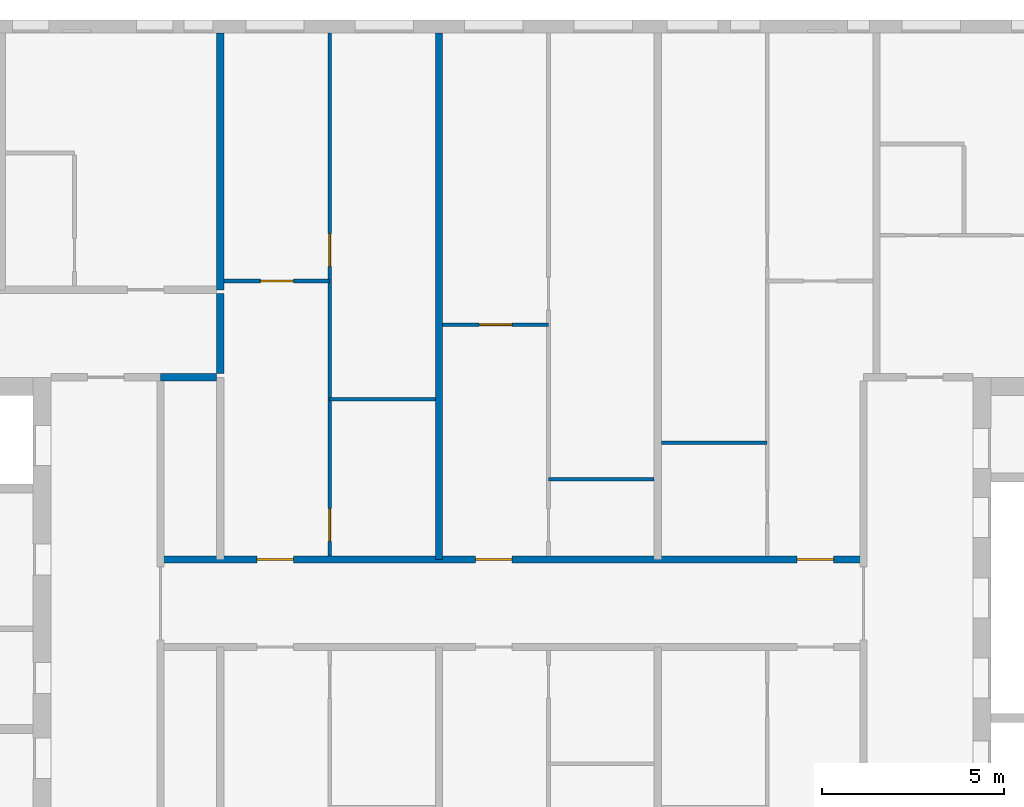
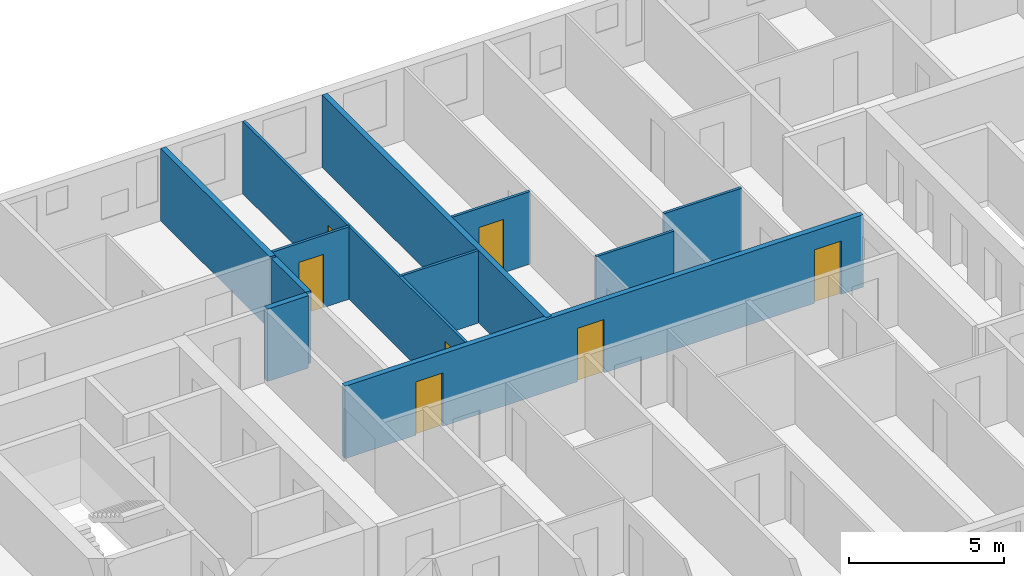
# One storey, part 5 of 16: 11 walls, 7 doors, 7 openings.
"""IFC4 building model written with IfcOpenShell, lengths in metres."""

from ifc_helpers import new_model, si_unit, direction, frame, frame_2d, origin, place, context, subcontext, project, spatial, rectangle, extrude, material, layer, layer_set, type_object, element, fill, save


model = new_model("IFC4")

# Units and contexts
model_context = context("Model", 3, precision=1e-05, world=origin(), true_north=direction((0.0, 1.0)))
body_context = subcontext(model_context, "Body", "Model", "MODEL_VIEW")
ifc_project = project(units=[si_unit("LENGTHUNIT", "METRE"), si_unit("AREAUNIT", "SQUARE_METRE"), si_unit("VOLUMEUNIT", "CUBIC_METRE"), si_unit("PLANEANGLEUNIT", "RADIAN"), si_unit("MASSUNIT", "GRAM", prefix="KILO")], contexts=[model_context])

# Site, building, storey
site_placement = place(None, origin())
site = spatial("IfcSite", under=ifc_project, at=site_placement, CompositionType="ELEMENT")
building_placement = place(site_placement, origin())
building = spatial("IfcBuilding", under=site, at=building_placement, Name="Tuart Gate Housing", CompositionType="ELEMENT")
storey_placement = place(building_placement, frame((0.0, 0.0, 157.800048828125)))
storey = spatial("IfcBuildingStorey", under=building, at=storey_placement, Name="L44", CompositionType="ELEMENT", Elevation=157.800048828125)

# Wall, openings, doors
ifc_material_1 = material(Name="Concrete masonry 15 MPa", Category="masonry")
ifc_layer_1 = layer(ifc_material_1, 0.199951171875)
ifc_layer_set_1 = layer_set([ifc_layer_1], Name="Corridor wall masonry 200")
wall_type_1 = type_object("IfcWallType", Name="Corridor wall masonry 200", PredefinedType="PARTITIONING", material=ifc_layer_set_1)
wall_1_placement = place(storey_placement, frame((44.360107421875, 71.199951171875, 0.0), z_axis=(0.0, 0.0, 1.0), x_axis=(1.0, 0.0, 0.0)))
wall_1 = element("IfcWall", 1, at=wall_1_placement, inside=storey, type_object=wall_type_1, Name="Corridor wall masonry 200", PredefinedType="PARTITIONING", context=body_context, shape_type="SweptSolid", body=[
    extrude(rectangle(XDim=19.27978515625, YDim=0.199951171875, at=frame_2d((9.639892578125, 0.0))), origin(), (0.0, 0.0, 1.0), 2.849853515625),
])
opening_1_placement = place(wall_1_placement, frame((17.4599609375, 0.0, 0.0)))
opening_1 = element("IfcOpeningElement", 2, at=opening_1_placement, cuts=wall_1, Name="Opening D1645", PredefinedType="OPENING", context=body_context, shape_type="SweptSolid", body=[
    extrude(rectangle(XDim=1.0, YDim=2.10009765625, at=frame_2d((0.5, 1.050048828125))), frame((0.0, 0.10986328125, 0.0), z_axis=(0.0, -1.0, 0.0), x_axis=(1.0, 0.0, 0.0)), (0.0, 0.0, 1.0), 0.219970703125),
])
opening_2_placement = place(wall_1_placement, frame((8.639892578125, 0.0, 0.0)))
opening_2 = element("IfcOpeningElement", 3, at=opening_2_placement, cuts=wall_1, Name="Opening D1646", PredefinedType="OPENING", context=body_context, shape_type="SweptSolid", body=[
    extrude(rectangle(XDim=1.0, YDim=2.10009765625, at=frame_2d((0.5, 1.050048828125))), frame((0.0, 0.10986328125, 0.0), z_axis=(0.0, -1.0, 0.0), x_axis=(1.0, 0.0, 0.0)), (0.0, 0.0, 1.0), 0.219970703125),
])
opening_3_placement = place(wall_1_placement, frame((2.639892578125, 0.0, 0.0)))
opening_3 = element("IfcOpeningElement", 4, at=opening_3_placement, cuts=wall_1, Name="Opening D1647", PredefinedType="OPENING", context=body_context, shape_type="SweptSolid", body=[
    extrude(rectangle(XDim=1.0, YDim=2.10009765625, at=frame_2d((0.5, 1.050048828125))), frame((0.0, 0.10986328125, 0.0), z_axis=(0.0, -1.0, 0.0), x_axis=(1.0, 0.0, 0.0)), (0.0, 0.0, 1.0), 0.219970703125),
])
ifc_material_2 = material(Name="Timber door leaf in steel frame", Category="steel")
door_type_1 = type_object("IfcDoorType", Name="Flat entrance door 1000", OperationType="SINGLE_SWING_LEFT", PredefinedType="DOOR", material=ifc_material_2)
door_1_placement = place(opening_1_placement, origin())
door_1 = element("IfcDoor", 5, at=door_1_placement, inside=storey, type_object=door_type_1, Name="Flat entrance door", OperationType="SINGLE_SWING_LEFT", OverallHeight=2.10009765625, OverallWidth=1.0, PredefinedType="DOOR", context=body_context, shape_type="SweptSolid", body=[
    extrude(rectangle(XDim=1.0, YDim=2.10009765625, at=frame_2d((0.5, 1.050048828125))), frame((0.0, 0.02490234375, 0.0), z_axis=(0.0, -1.0, 0.0), x_axis=(1.0, 0.0, 0.0)), (0.0, 0.0, 1.0), 0.050048828125),
])
fill(opening_1, door_1)
door_2_placement = place(opening_2_placement, origin())
door_2 = element("IfcDoor", 6, at=door_2_placement, inside=storey, type_object=door_type_1, Name="Flat entrance door", OperationType="SINGLE_SWING_LEFT", OverallHeight=2.10009765625, OverallWidth=1.0, PredefinedType="DOOR", context=body_context, shape_type="SweptSolid", body=[
    extrude(rectangle(XDim=1.0, YDim=2.10009765625, at=frame_2d((0.5, 1.050048828125))), frame((0.0, 0.02490234375, 0.0), z_axis=(0.0, -1.0, 0.0), x_axis=(1.0, 0.0, 0.0)), (0.0, 0.0, 1.0), 0.050048828125),
])
fill(opening_2, door_2)
door_3_placement = place(opening_3_placement, origin())
door_3 = element("IfcDoor", 7, at=door_3_placement, inside=storey, type_object=door_type_1, Name="Flat entrance door", OperationType="SINGLE_SWING_LEFT", OverallHeight=2.10009765625, OverallWidth=1.0, PredefinedType="DOOR", context=body_context, shape_type="SweptSolid", body=[
    extrude(rectangle(XDim=1.0, YDim=2.10009765625, at=frame_2d((0.5, 1.050048828125))), frame((0.0, 0.02490234375, 0.0), z_axis=(0.0, -1.0, 0.0), x_axis=(1.0, 0.0, 0.0)), (0.0, 0.0, 1.0), 0.050048828125),
])
fill(opening_3, door_3)

# Walls
wall_2_placement = place(storey_placement, frame((44.360107421875, 76.199951171875, 0.0), z_axis=(0.0, 0.0, 1.0), x_axis=(1.0, 0.0, 0.0)))
element("IfcWall", 8, at=wall_2_placement, inside=storey, type_object=wall_type_1, Name="Corridor wall masonry 200", PredefinedType="PARTITIONING", context=body_context, shape_type="SweptSolid", body=[
    extrude(rectangle(XDim=1.539794921875, YDim=0.199951171875, at=frame_2d((0.77001953125, 0.0))), origin(), (0.0, 0.0, 1.0), 2.849853515625),
])
wall_3_placement = place(storey_placement, frame((46.0, 76.300048828125, 0.0), z_axis=(0.0, 0.0, 1.0), x_axis=(0.0, 1.0, 0.0)))
element("IfcWall", 9, at=wall_3_placement, inside=storey, type_object=wall_type_1, Name="Corridor wall masonry 200", PredefinedType="PARTITIONING", context=body_context, shape_type="SweptSolid", body=[
    extrude(rectangle(XDim=2.199951171875, YDim=0.199951171875, at=frame_2d((1.10009765625, 0.0))), origin(), (0.0, 0.0, 1.0), 2.849853515625),
])
ifc_material_3 = material(Name="Gypsum board on steel studs", Category="steel")
ifc_layer_2 = layer(ifc_material_3, 0.10009765625)
ifc_layer_set_2 = layer_set([ifc_layer_2], Name="Partition 100")
wall_type_2 = type_object("IfcWallType", Name="Partition 100", PredefinedType="PARTITIONING", material=ifc_layer_set_2)
for number, where, z_axis, x_axis, name in (
    (10, (55.0, 73.39990234375, 0.0), (0.0, 0.0, 1.0), (1.0, 0.0, 0.0), "Partition 100"),
    (11, (58.10009765625, 74.39990234375, 0.0), (0.0, 0.0, 1.0), (1.0, 0.0, 0.0), "Partition 100"),
    (12, (49.0, 75.60009765625, 0.0), (0.0, 0.0, 1.0), (1.0, 0.0, 0.0), "Partition 100"),
):
    element("IfcWall", number, at=place(storey_placement, frame(where, z_axis=z_axis, x_axis=x_axis)), inside=storey, type_object=wall_type_2, Name=name, PredefinedType="PARTITIONING", context=body_context, shape_type="SweptSolid", body=[
        extrude(rectangle(XDim=2.89990234375, YDim=0.10009765625, at=frame_2d((1.449951171875, 0.0))), origin(), (0.0, 0.0, 1.0), 2.849853515625),
    ])

# Wall, opening, door
wall_4_placement = place(storey_placement, frame((52.10009765625, 77.639892578125, 0.0), z_axis=(0.0, 0.0, 1.0), x_axis=(1.0, 0.0, 0.0)))
wall_4 = element("IfcWall", 13, at=wall_4_placement, inside=storey, type_object=wall_type_2, Name="Partition 100", PredefinedType="PARTITIONING", context=body_context, shape_type="SweptSolid", body=[
    extrude(rectangle(XDim=2.89990234375, YDim=0.10009765625, at=frame_2d((1.449951171875, 0.0))), origin(), (0.0, 0.0, 1.0), 2.849853515625),
])
opening_4_placement = place(wall_4_placement, frame((1.0, 0.0, 0.0)))
opening_4 = element("IfcOpeningElement", 14, at=opening_4_placement, cuts=wall_4, Name="Opening D1640", PredefinedType="OPENING", context=body_context, shape_type="SweptSolid", body=[
    extrude(rectangle(XDim=0.89990234375, YDim=2.10009765625, at=frame_2d((0.449951171875, 1.050048828125))), frame((0.0, 0.06005859375, 0.0), z_axis=(0.0, -1.0, 0.0), x_axis=(1.0, 0.0, 0.0)), (0.0, 0.0, 1.0), 0.1201171875),
])
ifc_material_4 = material(Name="Timber door leaf in steel frame", Category="steel")
door_type_2 = type_object("IfcDoorType", Name="Internal door 900", OperationType="SINGLE_SWING_LEFT", PredefinedType="DOOR", material=ifc_material_4)
door_4_placement = place(opening_4_placement, frame((0.89990234375, 0.0, 0.0), z_axis=(0.0, 0.0, 1.0), x_axis=(-1.0, 0.0, 0.0)))
door_4 = element("IfcDoor", 15, at=door_4_placement, inside=storey, type_object=door_type_2, Name="Internal door", OperationType="SINGLE_SWING_LEFT", OverallHeight=2.10009765625, OverallWidth=0.89990234375, PredefinedType="DOOR", context=body_context, shape_type="SweptSolid", body=[
    extrude(rectangle(XDim=0.89990234375, YDim=2.10009765625, at=frame_2d((0.449951171875, 1.050048828125))), frame((0.0, 0.025146484375, 0.0), z_axis=(0.0, -1.0, 0.0), x_axis=(1.0, 0.0, 0.0)), (0.0, 0.0, 1.0), 0.050048828125),
])
fill(opening_4, door_4)

wall_5_placement = place(storey_placement, frame((46.10009765625, 78.840087890625, 0.0), z_axis=(0.0, 0.0, 1.0), x_axis=(1.0, 0.0, 0.0)))
wall_5 = element("IfcWall", 16, at=wall_5_placement, inside=storey, type_object=wall_type_2, Name="Partition 100", PredefinedType="PARTITIONING", context=body_context, shape_type="SweptSolid", body=[
    extrude(rectangle(XDim=2.89990234375, YDim=0.10009765625, at=frame_2d((1.449951171875, 0.0))), origin(), (0.0, 0.0, 1.0), 2.849853515625),
])
opening_5_placement = place(wall_5_placement, frame((1.0, 0.0, 0.0)))
opening_5 = element("IfcOpeningElement", 17, at=opening_5_placement, cuts=wall_5, Name="Opening D1630", PredefinedType="OPENING", context=body_context, shape_type="SweptSolid", body=[
    extrude(rectangle(XDim=0.89990234375, YDim=2.10009765625, at=frame_2d((0.449951171875, 1.050048828125))), frame((0.0, 0.06005859375, 0.0), z_axis=(0.0, -1.0, 0.0), x_axis=(1.0, 0.0, 0.0)), (0.0, 0.0, 1.0), 0.1201171875),
])
door_5_placement = place(opening_5_placement, frame((0.89990234375, 0.0, 0.0), z_axis=(0.0, 0.0, 1.0), x_axis=(-1.0, 0.0, 0.0)))
door_5 = element("IfcDoor", 18, at=door_5_placement, inside=storey, type_object=door_type_2, Name="Internal door", OperationType="SINGLE_SWING_LEFT", OverallHeight=2.10009765625, OverallWidth=0.89990234375, PredefinedType="DOOR", context=body_context, shape_type="SweptSolid", body=[
    extrude(rectangle(XDim=0.89990234375, YDim=2.10009765625, at=frame_2d((0.449951171875, 1.050048828125))), frame((0.0, 0.025146484375, 0.0), z_axis=(0.0, -1.0, 0.0), x_axis=(1.0, 0.0, 0.0)), (0.0, 0.0, 1.0), 0.050048828125),
])
fill(opening_5, door_5)

# Wall, openings, doors
wall_6_placement = place(storey_placement, frame((49.0, 71.300048828125, 0.0), z_axis=(0.0, 0.0, 1.0), x_axis=(0.0, 1.0, 0.0)))
wall_6 = element("IfcWall", 19, at=wall_6_placement, inside=storey, type_object=wall_type_2, Name="Partition 100", PredefinedType="PARTITIONING", context=body_context, shape_type="SweptSolid", body=[
    extrude(rectangle(XDim=14.33984375, YDim=0.10009765625, at=frame_2d((7.169921875, 0.0))), origin(), (0.0, 0.0, 1.0), 2.849853515625),
])
opening_6_placement = place(wall_6_placement, frame((7.93994140625, 0.0, 0.0)))
opening_6 = element("IfcOpeningElement", 20, at=opening_6_placement, cuts=wall_6, Name="Opening D1635", PredefinedType="OPENING", context=body_context, shape_type="SweptSolid", body=[
    extrude(rectangle(XDim=0.89990234375, YDim=2.10009765625, at=frame_2d((0.449951171875, 1.050048828125))), frame((0.0, 0.06005859375, 0.0), z_axis=(0.0, -1.0, 0.0), x_axis=(1.0, 0.0, 0.0)), (0.0, 0.0, 1.0), 0.1201171875),
])
opening_7_placement = place(wall_6_placement, frame((0.39990234375, 0.0, 0.0)))
opening_7 = element("IfcOpeningElement", 21, at=opening_7_placement, cuts=wall_6, Name="Opening D1634", PredefinedType="OPENING", context=body_context, shape_type="SweptSolid", body=[
    extrude(rectangle(XDim=0.89990234375, YDim=2.10009765625, at=frame_2d((0.449951171875, 1.050048828125))), frame((0.0, 0.06005859375, 0.0), z_axis=(0.0, -1.0, 0.0), x_axis=(1.0, 0.0, 0.0)), (0.0, 0.0, 1.0), 0.1201171875),
])
ifc_material_5 = material(Name="Timber door leaf in steel frame", Category="steel")
door_type_3 = type_object("IfcDoorType", Name="Bathroom door 900 RH", OperationType="SINGLE_SWING_RIGHT", PredefinedType="DOOR", material=ifc_material_5)
door_6_placement = place(opening_7_placement, frame((0.89990234375, 0.0, 0.0), z_axis=(0.0, 0.0, 1.0), x_axis=(-1.0, 0.0, 0.0)))
door_6 = element("IfcDoor", 22, at=door_6_placement, inside=storey, type_object=door_type_3, Name="Bathroom door", OperationType="SINGLE_SWING_RIGHT", OverallHeight=2.10009765625, OverallWidth=0.89990234375, PredefinedType="DOOR", context=body_context, shape_type="SweptSolid", body=[
    extrude(rectangle(XDim=0.89990234375, YDim=2.10009765625, at=frame_2d((0.449951171875, 1.050048828125))), frame((0.0, 0.025146484375, 0.0), z_axis=(0.0, -1.0, 0.0), x_axis=(1.0, 0.0, 0.0)), (0.0, 0.0, 1.0), 0.050048828125),
])
fill(opening_7, door_6)
ifc_material_6 = material(Name="Timber door leaf in steel frame", Category="steel")
door_type_4 = type_object("IfcDoorType", Name="Internal door 900 RH", OperationType="SINGLE_SWING_RIGHT", PredefinedType="DOOR", material=ifc_material_6)
door_7_placement = place(opening_6_placement, frame((0.89990234375, 0.0, 0.0), z_axis=(0.0, 0.0, 1.0), x_axis=(-1.0, 0.0, 0.0)))
door_7 = element("IfcDoor", 23, at=door_7_placement, inside=storey, type_object=door_type_4, Name="Internal door", OperationType="SINGLE_SWING_RIGHT", OverallHeight=2.10009765625, OverallWidth=0.89990234375, PredefinedType="DOOR", context=body_context, shape_type="SweptSolid", body=[
    extrude(rectangle(XDim=0.89990234375, YDim=2.10009765625, at=frame_2d((0.449951171875, 1.050048828125))), frame((0.0, 0.025146484375, 0.0), z_axis=(0.0, -1.0, 0.0), x_axis=(1.0, 0.0, 0.0)), (0.0, 0.0, 1.0), 0.050048828125),
])
fill(opening_6, door_7)

# Walls
ifc_material_7 = material(Name="Concrete C40", Category="concrete")
ifc_layer_3 = layer(ifc_material_7, 0.199951171875)
ifc_layer_set_3 = layer_set([ifc_layer_3], Name="Party wall concrete C40 200")
wall_type_3 = type_object("IfcWallType", Name="Party wall concrete C40 200", PredefinedType="SOLIDWALL", material=ifc_layer_set_3)
wall_7_placement = place(storey_placement, frame((46.0, 78.60009765625, 0.0), z_axis=(0.0, 0.0, 1.0), x_axis=(0.0, 1.0, 0.0)))
element("IfcWall", 24, at=wall_7_placement, inside=storey, type_object=wall_type_3, Name="Party wall concrete C40 200", PredefinedType="SOLIDWALL", context=body_context, shape_type="SweptSolid", body=[
    extrude(rectangle(XDim=7.039794921875, YDim=0.199951171875, at=frame_2d((3.52001953125, 0.0))), origin(), (0.0, 0.0, 1.0), 2.849853515625),
])
wall_8_placement = place(storey_placement, frame((52.0, 71.199951171875, 0.0), z_axis=(0.0, 0.0, 1.0), x_axis=(0.0, 1.0, 0.0)))
element("IfcWall", 25, at=wall_8_placement, inside=storey, type_object=wall_type_3, Name="Party wall concrete C40 200", PredefinedType="SOLIDWALL", context=body_context, shape_type="SweptSolid", body=[
    extrude(rectangle(XDim=14.43994140625, YDim=0.199951171875, at=frame_2d((7.219970703125, 0.0))), origin(), (0.0, 0.0, 1.0), 2.849853515625),
])

save(model, "model.ifc")
